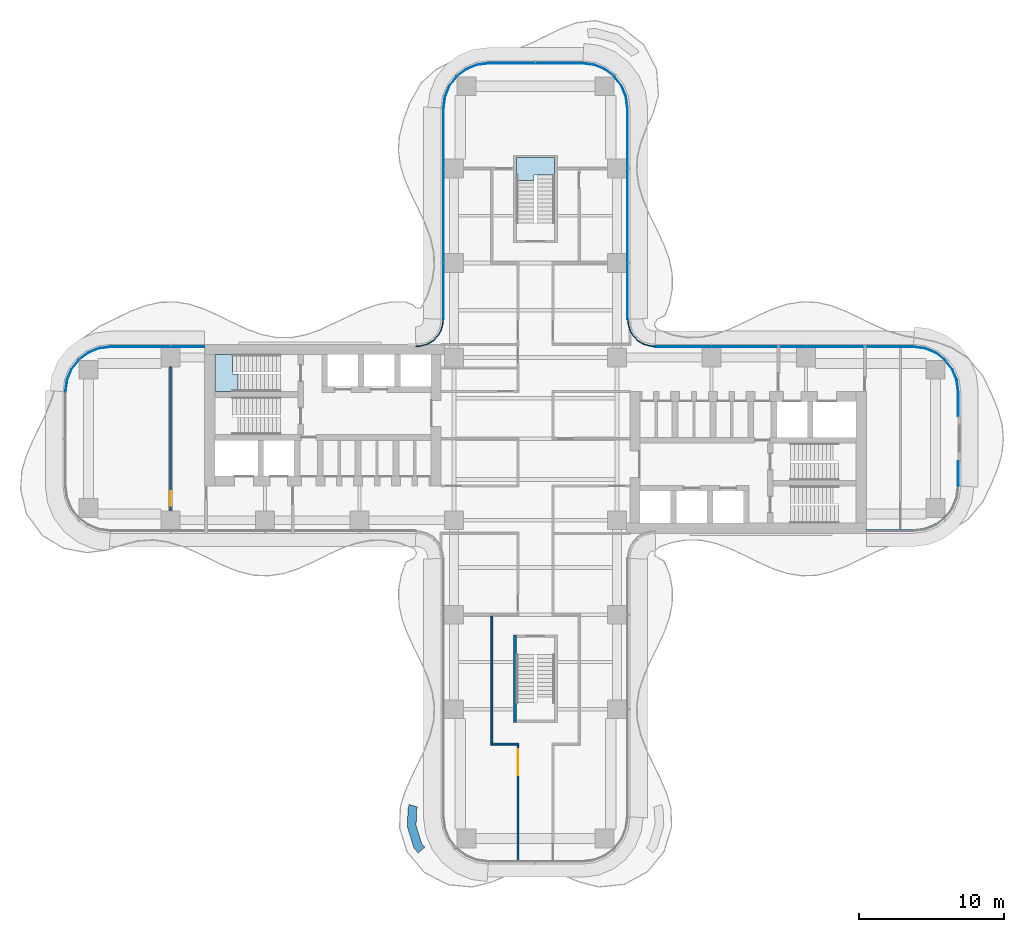
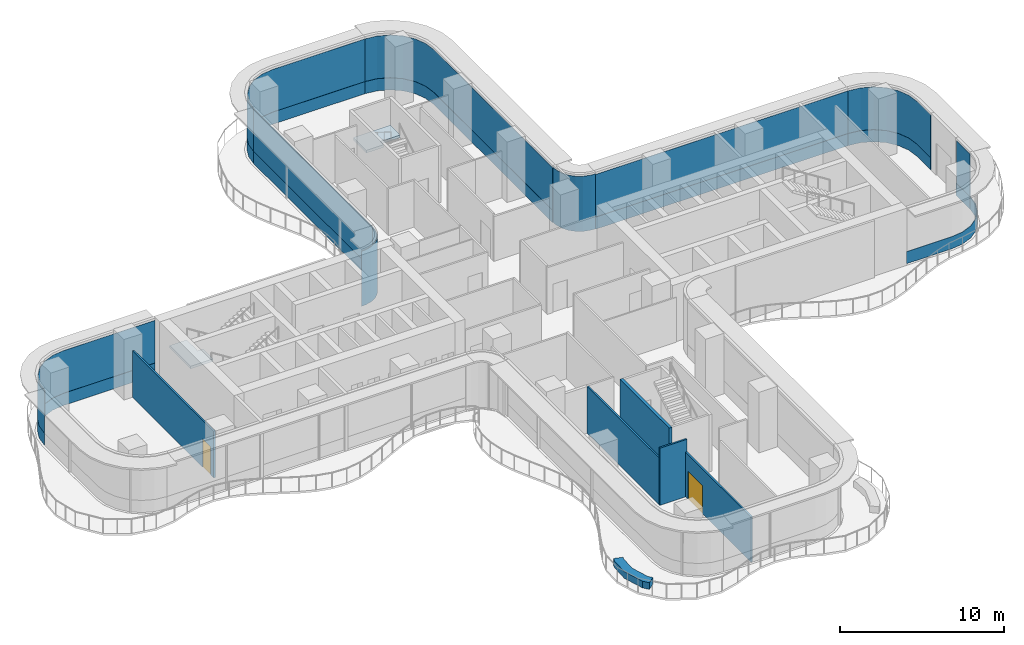
# One storey, part 15 of 21: 17 plates, 6 walls, 2 doors, 2 slabs, 2 openings, 12 elements without a shape of their own.
"""IFC4 building model written with IfcOpenShell, lengths in metres."""

from ifc_helpers import new_model, si_unit, direction, frame, frame_2d, origin, place, context, subcontext, project, spatial, polyline, rectangle, outline, extrude, source, transform, mapped, material, layer, layer_set, type_object, element, fill, aggregate, save


model = new_model("IFC4")

# Units and contexts
model_context = context("Model", 3, precision=1e-05, world=origin(), true_north=direction((0.0, 1.0)))
body_context = subcontext(model_context, "Body", "Model", "MODEL_VIEW")
ifc_project = project(units=[si_unit("LENGTHUNIT", "METRE"), si_unit("AREAUNIT", "SQUARE_METRE"), si_unit("VOLUMEUNIT", "CUBIC_METRE"), si_unit("PLANEANGLEUNIT", "RADIAN"), si_unit("MASSUNIT", "GRAM", prefix="KILO")], contexts=[model_context])

# Site, building, storey
site_placement = place(None, origin())
site = spatial("IfcSite", under=ifc_project, at=site_placement, CompositionType="ELEMENT")
building_placement = place(site_placement, origin())
building = spatial("IfcBuilding", under=site, at=building_placement, Name="Trellis Farm Tower", CompositionType="ELEMENT")
storey_placement = place(building_placement, frame((0.0, 0.0, 115.5)))
storey = spatial("IfcBuildingStorey", under=building, at=storey_placement, Name="L24", CompositionType="ELEMENT", Elevation=115.5)

# Curtain wall, plate
ifc_material_1 = material(Name="Aluminium and glass curtain wall", Category="aluminium")
ifc_layer_1 = layer(ifc_material_1, 0.18994140625)
ifc_layer_set_1 = layer_set([ifc_layer_1], Name="RIBBON CURTAIN WALL CW1")
curtain_wall_type_1 = type_object("IfcCurtainWallType", Name="RIBBON CURTAIN WALL CW1", PredefinedType="NOTDEFINED", material=ifc_layer_set_1)
placement_1 = place(storey_placement, origin())
curtain_wall_1 = element("IfcCurtainWall", 1, at=placement_1, inside=storey, type_object=curtain_wall_type_1, Name="CW1 006", PredefinedType="NOTDEFINED")
ifc_material_2 = material(Name="Clear insulated glass", Category="glass")
ifc_layer_2 = layer(ifc_material_2, 0.0400390625)
ifc_layer_set_2 = layer_set([ifc_layer_2], Name="CW1 GLASS PANEL 40")
plate_type_1 = type_object("IfcPlateType", Name="CW1 GLASS PANEL 40", PredefinedType="CURTAIN_PANEL", material=ifc_layer_set_2)
placement_2 = place(storey_placement, frame((0.0, 0.0, 0.89990234375)))
plate_1 = element("IfcPlate", 2, at=placement_2, type_object=plate_type_1, Name="PL1 006", PredefinedType="CURTAIN_PANEL", context=body_context, shape_type="SweptSolid", body=[
    extrude(outline(polyline([(29.10009765625, -3.240234375), (29.10009765625, -1.56005859375), (29.06005859375, -1.56005859375), (29.06005859375, -3.237548828125), (29.10009765625, -3.240234375)])), origin(), (0.0, 0.0, 1.0), 3.170166015625),
])

curtain_wall_2 = element("IfcCurtainWall", 3, at=placement_1, inside=storey, type_object=curtain_wall_type_1, Name="CW1 007", PredefinedType="NOTDEFINED")
plate_2 = element("IfcPlate", 4, at=placement_2, type_object=plate_type_1, Name="PL1 007", PredefinedType="CURTAIN_PANEL", context=body_context, shape_type="SweptSolid", body=[
    extrude(outline(polyline([(29.10009765625, 1.56005859375), (29.10009765625, 3.240234375), (28.9931640625, 4.052001953125), (28.68359375, 4.79931640625), (28.191162109375, 5.441162109375), (27.54931640625, 5.93359375), (26.802001953125, 6.2431640625), (25.990234375, 6.35009765625), (25.987548828125, 6.31005859375), (26.79150390625, 6.2041015625), (27.529296875, 5.898681640625), (28.16259765625, 5.41259765625), (28.648681640625, 4.779296875), (28.9541015625, 4.04150390625), (29.06005859375, 3.237548828125), (29.06005859375, 1.56005859375), (29.10009765625, 1.56005859375)])), origin(), (0.0, 0.0, 1.0), 3.170166015625),
])

# Stair, slab
ifc_material_3 = material(Name="Concrete C50/60", Category="concrete")
stair_type = type_object("IfcStairType", Name="CORE EXIT STAIR 26 RISERS 173 MM", PredefinedType="HALF_TURN_STAIR", material=ifc_material_3)
stair_1 = element("IfcStair", 5, at=placement_1, inside=storey, type_object=stair_type, Name="Exit stair N", PredefinedType="HALF_TURN_STAIR")
ifc_layer_3 = layer(ifc_material_3, 0.18994140625)
ifc_layer_set_3 = layer_set([ifc_layer_3], Name="CORE STAIR LANDING 190 CONCRETE C50/60")
slab_type = type_object("IfcSlabType", Name="CORE STAIR LANDING 190 CONCRETE C50/60", PredefinedType="LANDING", material=ifc_layer_set_3)
shared_shape_1 = source(origin(), body_context, "Body", "SweptSolid", [
    extrude(outline(polyline([(-0.10009765625, 17.753173828125), (-1.300048828125, 17.753173828125), (-1.300048828125, 18.14990234375), (-1.300048828125, 19.35009765625), (1.300048828125, 19.35009765625), (1.300048828125, 18.14990234375), (1.300048828125, 18.139892578125), (0.10009765625, 18.139892578125), (0.10009765625, 18.14990234375), (-0.10009765625, 18.14990234375), (-0.10009765625, 17.753173828125)])), origin(), (0.0, 0.0, 1.0), 0.18994140625),
])
placement_3 = place(storey_placement, frame((0.0, 0.0, 2.06005859375)))
slab_1 = element("IfcSlab", 6, at=placement_3, type_object=slab_type, Name="STN landing 1", PredefinedType="LANDING", context=body_context, shape_type="MappedRepresentation", body=[
    mapped(shared_shape_1, transform((0.0, 0.0, 0.0))),
])
aggregate(stair_1, [slab_1])

stair_2 = element("IfcStair", 7, at=placement_1, inside=storey, type_object=stair_type, Name="Exit stair W1", PredefinedType="HALF_TURN_STAIR")
shared_shape_2 = source(origin(), body_context, "Body", "SweptSolid", [
    extrude(outline(polyline([(-20.453125, 4.449951171875), (-20.453125, 3.25), (-20.85009765625, 3.25), (-22.050048828125, 3.25), (-22.050048828125, 5.800048828125), (-20.85009765625, 5.800048828125), (-20.840087890625, 5.800048828125), (-20.840087890625, 4.60009765625), (-20.85009765625, 4.60009765625), (-20.85009765625, 4.449951171875), (-20.453125, 4.449951171875)])), origin(), (0.0, 0.0, 1.0), 0.18994140625),
])
slab_2 = element("IfcSlab", 8, at=placement_3, type_object=slab_type, Name="STW1 landing 1", PredefinedType="LANDING", context=body_context, shape_type="MappedRepresentation", body=[
    mapped(shared_shape_2, transform((0.0, 0.0, 0.0))),
])
aggregate(stair_2, [slab_2])

# Curtain wall, plate
ifc_layer_4 = layer(ifc_material_1, 0.166015625)
ifc_layer_set_4 = layer_set([ifc_layer_4], Name="WINTER GARDEN CURTAIN WALL CW3")
curtain_wall_type_2 = type_object("IfcCurtainWallType", Name="WINTER GARDEN CURTAIN WALL CW3", PredefinedType="NOTDEFINED", material=ifc_layer_set_4)
curtain_wall_3 = element("IfcCurtainWall", 9, at=placement_1, inside=storey, type_object=curtain_wall_type_2, Name="CW3 003", PredefinedType="NOTDEFINED")
ifc_layer_5 = layer(ifc_material_2, 0.0458984375)
ifc_layer_set_5 = layer_set([ifc_layer_5], Name="CW3 GLASS PANEL 46")
plate_type_2 = type_object("IfcPlateType", Name="CW3 GLASS PANEL 46", PredefinedType="CURTAIN_PANEL", material=ifc_layer_set_5)
shared_shape_3 = source(origin(), body_context, "Body", "SweptSolid", [
    extrude(outline(polyline([(8.2275390625, 6.3798828125), (8.0078125, 6.394287109375), (7.89208984375, 6.40966796875), (7.462158203125, 6.52490234375), (7.070556640625, 6.7509765625), (6.7509765625, 7.070556640625), (6.52490234375, 7.462158203125), (6.40966796875, 7.89208984375), (6.394287109375, 8.0078125), (6.3798828125, 8.2275390625), (6.333984375, 8.22607421875), (6.3486328125, 8.003173828125), (6.364501953125, 7.883056640625), (6.48193359375, 7.4443359375), (6.714111328125, 7.04248046875), (7.04248046875, 6.714111328125), (7.4443359375, 6.48193359375), (7.883056640625, 6.364501953125), (8.003173828125, 6.3486328125), (8.22607421875, 6.333984375), (8.2275390625, 6.3798828125)])), origin(), (0.0, 0.0, 1.0), 4.10009765625),
])
plate_3 = element("IfcPlate", 10, at=placement_1, type_object=plate_type_2, Name="PL3 003", PredefinedType="CURTAIN_PANEL", context=body_context, shape_type="MappedRepresentation", body=[
    mapped(shared_shape_3, transform((0.0, 0.0, 0.0))),
])
aggregate(curtain_wall_3, [plate_3])

curtain_wall_4 = element("IfcCurtainWall", 11, at=placement_1, inside=storey, type_object=curtain_wall_type_2, Name="CW3 004", PredefinedType="NOTDEFINED")
shared_shape_4 = source(origin(), body_context, "Body", "SweptSolid", [
    extrude(outline(polyline([(-6.3798828125, 8.2275390625), (-6.394287109375, 8.0078125), (-6.40966796875, 7.89208984375), (-6.52490234375, 7.462158203125), (-6.7509765625, 7.070556640625), (-7.070556640625, 6.7509765625), (-7.462158203125, 6.52490234375), (-7.89208984375, 6.40966796875), (-8.0078125, 6.394287109375), (-8.2275390625, 6.3798828125), (-8.22607421875, 6.333984375), (-8.003173828125, 6.3486328125), (-7.883056640625, 6.364501953125), (-7.4443359375, 6.48193359375), (-7.04248046875, 6.714111328125), (-6.714111328125, 7.04248046875), (-6.48193359375, 7.4443359375), (-6.364501953125, 7.883056640625), (-6.3486328125, 8.003173828125), (-6.333984375, 8.22607421875), (-6.3798828125, 8.2275390625)])), origin(), (0.0, 0.0, 1.0), 4.10009765625),
])
plate_4 = element("IfcPlate", 12, at=placement_1, type_object=plate_type_2, Name="PL3 004", PredefinedType="CURTAIN_PANEL", context=body_context, shape_type="MappedRepresentation", body=[
    mapped(shared_shape_4, transform((0.0, 0.0, 0.0))),
])
aggregate(curtain_wall_4, [plate_4])

# Curtain wall, plates
curtain_wall_5 = element("IfcCurtainWall", 13, at=placement_1, inside=storey, type_object=curtain_wall_type_1, Name="CW1 012", PredefinedType="NOTDEFINED")
shared_shape_5 = source(origin(), body_context, "Body", "SweptSolid", [
    extrude(outline(polyline([(-22.780029296875, 6.35009765625), (-29.240234375, 6.35009765625), (-30.052001953125, 6.2431640625), (-30.79931640625, 5.93359375), (-31.441162109375, 5.441162109375), (-31.93359375, 4.79931640625), (-32.2431640625, 4.052001953125), (-32.35009765625, 3.240234375), (-32.31005859375, 3.237548828125), (-32.2041015625, 4.04150390625), (-31.898681640625, 4.779296875), (-31.41259765625, 5.41259765625), (-30.779296875, 5.898681640625), (-30.04150390625, 6.2041015625), (-29.237548828125, 6.31005859375), (-22.780029296875, 6.31005859375), (-22.780029296875, 6.35009765625)])), origin(), (0.0, 0.0, 1.0), 3.170166015625),
])
plate_5 = element("IfcPlate", 14, at=placement_2, type_object=plate_type_1, Name="PL1 012", PredefinedType="CURTAIN_PANEL", context=body_context, shape_type="MappedRepresentation", body=[
    mapped(shared_shape_5, transform((0.0, 0.0, 0.0))),
])
ifc_material_4 = material(Name="Sandstone faced insulated panel", Category="masonry")
ifc_layer_6 = layer(ifc_material_4, 0.050048828125)
ifc_layer_set_6 = layer_set([ifc_layer_6], Name="CW1 STONE SPANDREL PANEL 50")
plate_type_3 = type_object("IfcPlateType", Name="CW1 STONE SPANDREL PANEL 50", PredefinedType="CURTAIN_PANEL", material=ifc_layer_set_6)
shared_shape_6 = source(origin(), body_context, "Body", "SweptSolid", [
    extrude(outline(polyline([(-22.780029296875, 6.35009765625), (-29.240234375, 6.35009765625), (-30.052001953125, 6.2431640625), (-30.79931640625, 5.93359375), (-31.441162109375, 5.441162109375), (-31.93359375, 4.79931640625), (-32.2431640625, 4.052001953125), (-32.35009765625, 3.240234375), (-32.300048828125, 3.23681640625), (-32.1943359375, 4.0390625), (-31.889892578125, 4.774169921875), (-31.405517578125, 5.405517578125), (-30.774169921875, 5.889892578125), (-30.0390625, 6.1943359375), (-29.23681640625, 6.300048828125), (-22.780029296875, 6.300048828125), (-22.780029296875, 6.35009765625)])), origin(), (0.0, 0.0, 1.0), 0.89990234375),
])
plate_6 = element("IfcPlate", 15, at=placement_1, type_object=plate_type_3, Name="PS1 012", PredefinedType="CURTAIN_PANEL", context=body_context, shape_type="MappedRepresentation", body=[
    mapped(shared_shape_6, transform((0.0, 0.0, 0.0))),
])
aggregate(curtain_wall_5, [plate_5, plate_6])

curtain_wall_6 = element("IfcCurtainWall", 16, at=placement_1, inside=storey, type_object=curtain_wall_type_1, Name="CW1 009", PredefinedType="NOTDEFINED")
shared_shape_7 = source(origin(), body_context, "Body", "SweptSolid", [
    extrude(outline(polyline([(6.35009765625, 8.2265625), (6.35009765625, 22.740234375), (6.2431640625, 23.552001953125), (5.93359375, 24.29931640625), (5.441162109375, 24.941162109375), (4.79931640625, 25.43359375), (4.052001953125, 25.7431640625), (3.240234375, 25.85009765625), (3.237548828125, 25.81005859375), (4.04150390625, 25.7041015625), (4.779296875, 25.398681640625), (5.41259765625, 24.91259765625), (5.898681640625, 24.279296875), (6.2041015625, 23.54150390625), (6.31005859375, 22.737548828125), (6.31005859375, 8.22509765625), (6.35009765625, 8.2265625)])), origin(), (0.0, 0.0, 1.0), 3.170166015625),
])
plate_7 = element("IfcPlate", 17, at=placement_2, type_object=plate_type_1, Name="PL1 009", PredefinedType="CURTAIN_PANEL", context=body_context, shape_type="MappedRepresentation", body=[
    mapped(shared_shape_7, transform((0.0, 0.0, 0.0))),
])
shared_shape_8 = source(origin(), body_context, "Body", "SweptSolid", [
    extrude(outline(polyline([(6.35009765625, 8.2265625), (6.35009765625, 22.740234375), (6.2431640625, 23.552001953125), (5.93359375, 24.29931640625), (5.441162109375, 24.941162109375), (4.79931640625, 25.43359375), (4.052001953125, 25.7431640625), (3.240234375, 25.85009765625), (3.23681640625, 25.800048828125), (4.0390625, 25.6943359375), (4.774169921875, 25.389892578125), (5.405517578125, 24.905517578125), (5.889892578125, 24.274169921875), (6.1943359375, 23.5390625), (6.300048828125, 22.73681640625), (6.300048828125, 8.224853515625), (6.35009765625, 8.2265625)])), origin(), (0.0, 0.0, 1.0), 0.89990234375),
])
plate_8 = element("IfcPlate", 18, at=placement_1, type_object=plate_type_3, Name="PS1 009", PredefinedType="CURTAIN_PANEL", context=body_context, shape_type="MappedRepresentation", body=[
    mapped(shared_shape_8, transform((0.0, 0.0, 0.0))),
])
aggregate(curtain_wall_6, [plate_7, plate_8])

curtain_wall_7 = element("IfcCurtainWall", 19, at=placement_1, inside=storey, type_object=curtain_wall_type_1, Name="CW1 011", PredefinedType="NOTDEFINED")
shared_shape_9 = source(origin(), body_context, "Body", "SweptSolid", [
    extrude(outline(polyline([(-6.35009765625, 22.740234375), (-6.35009765625, 8.2265625), (-6.31005859375, 8.22509765625), (-6.31005859375, 22.737548828125), (-6.35009765625, 22.740234375)])), origin(), (0.0, 0.0, 1.0), 3.170166015625),
])
plate_9 = element("IfcPlate", 20, at=placement_2, type_object=plate_type_1, Name="PL1 011", PredefinedType="CURTAIN_PANEL", context=body_context, shape_type="MappedRepresentation", body=[
    mapped(shared_shape_9, transform((0.0, 0.0, 0.0))),
])
shared_shape_10 = source(origin(), body_context, "Body", "SweptSolid", [
    extrude(outline(polyline([(-6.35009765625, 22.740234375), (-6.35009765625, 8.2265625), (-6.300048828125, 8.224853515625), (-6.300048828125, 22.73681640625), (-6.35009765625, 22.740234375)])), origin(), (0.0, 0.0, 1.0), 0.89990234375),
])
plate_10 = element("IfcPlate", 21, at=placement_1, type_object=plate_type_3, Name="PS1 011", PredefinedType="CURTAIN_PANEL", context=body_context, shape_type="MappedRepresentation", body=[
    mapped(shared_shape_10, transform((0.0, 0.0, 0.0))),
])
aggregate(curtain_wall_7, [plate_9, plate_10])

curtain_wall_8 = element("IfcCurtainWall", 22, at=placement_1, inside=storey, type_object=curtain_wall_type_1, Name="CW1 010", PredefinedType="NOTDEFINED")
shared_shape_11 = source(origin(), body_context, "Body", "SweptSolid", [
    extrude(outline(polyline([(3.240234375, 25.85009765625), (-3.240234375, 25.85009765625), (-4.052001953125, 25.7431640625), (-4.79931640625, 25.43359375), (-5.441162109375, 24.941162109375), (-5.93359375, 24.29931640625), (-6.2431640625, 23.552001953125), (-6.35009765625, 22.740234375), (-6.31005859375, 22.737548828125), (-6.2041015625, 23.54150390625), (-5.898681640625, 24.279296875), (-5.41259765625, 24.91259765625), (-4.779296875, 25.398681640625), (-4.04150390625, 25.7041015625), (-3.237548828125, 25.81005859375), (3.237548828125, 25.81005859375), (3.240234375, 25.85009765625)])), origin(), (0.0, 0.0, 1.0), 3.170166015625),
])
plate_11 = element("IfcPlate", 23, at=placement_2, type_object=plate_type_1, Name="PL1 010", PredefinedType="CURTAIN_PANEL", context=body_context, shape_type="MappedRepresentation", body=[
    mapped(shared_shape_11, transform((0.0, 0.0, 0.0))),
])
shared_shape_12 = source(origin(), body_context, "Body", "SweptSolid", [
    extrude(outline(polyline([(3.240234375, 25.85009765625), (-3.240234375, 25.85009765625), (-4.052001953125, 25.7431640625), (-4.79931640625, 25.43359375), (-5.441162109375, 24.941162109375), (-5.93359375, 24.29931640625), (-6.2431640625, 23.552001953125), (-6.35009765625, 22.740234375), (-6.300048828125, 22.73681640625), (-6.1943359375, 23.5390625), (-5.889892578125, 24.274169921875), (-5.405517578125, 24.905517578125), (-4.774169921875, 25.389892578125), (-4.0390625, 25.6943359375), (-3.23681640625, 25.800048828125), (3.23681640625, 25.800048828125), (3.240234375, 25.85009765625)])), origin(), (0.0, 0.0, 1.0), 0.89990234375),
])
plate_12 = element("IfcPlate", 24, at=placement_1, type_object=plate_type_3, Name="PS1 010", PredefinedType="CURTAIN_PANEL", context=body_context, shape_type="MappedRepresentation", body=[
    mapped(shared_shape_12, transform((0.0, 0.0, 0.0))),
])
aggregate(curtain_wall_8, [plate_11, plate_12])

# Curtain wall, plate
curtain_wall_9 = element("IfcCurtainWall", 25, at=placement_1, inside=storey, type_object=curtain_wall_type_1, Name="CW1 005", PredefinedType="NOTDEFINED")
shared_shape_13 = source(origin(), body_context, "Body", "SweptSolid", [
    extrude(outline(polyline([(22.780029296875, -6.35009765625), (25.990234375, -6.35009765625), (26.802001953125, -6.2431640625), (27.54931640625, -5.93359375), (28.191162109375, -5.441162109375), (28.68359375, -4.79931640625), (28.9931640625, -4.052001953125), (29.10009765625, -3.240234375), (29.050048828125, -3.23681640625), (28.9443359375, -4.0390625), (28.639892578125, -4.774169921875), (28.155517578125, -5.405517578125), (27.524169921875, -5.889892578125), (26.7890625, -6.1943359375), (25.98681640625, -6.300048828125), (22.780029296875, -6.300048828125), (22.780029296875, -6.35009765625)])), origin(), (0.0, 0.0, 1.0), 0.89990234375),
])
plate_13 = element("IfcPlate", 26, at=placement_1, type_object=plate_type_3, Name="PS1 005", PredefinedType="CURTAIN_PANEL", context=body_context, shape_type="MappedRepresentation", body=[
    mapped(shared_shape_13, transform((0.0, 0.0, 0.0))),
])
aggregate(curtain_wall_9, [plate_13])

# Curtain wall, plates
curtain_wall_10 = element("IfcCurtainWall", 27, at=placement_1, inside=storey, type_object=curtain_wall_type_1, Name="CW1 008", PredefinedType="NOTDEFINED")
shared_shape_14 = source(origin(), body_context, "Body", "SweptSolid", [
    extrude(outline(polyline([(25.990234375, 6.35009765625), (8.2265625, 6.35009765625), (8.22509765625, 6.31005859375), (25.987548828125, 6.31005859375), (25.990234375, 6.35009765625)])), origin(), (0.0, 0.0, 1.0), 3.170166015625),
])
plate_14 = element("IfcPlate", 28, at=placement_2, type_object=plate_type_1, Name="PL1 008", PredefinedType="CURTAIN_PANEL", context=body_context, shape_type="MappedRepresentation", body=[
    mapped(shared_shape_14, transform((0.0, 0.0, 0.0))),
])
shared_shape_15 = source(origin(), body_context, "Body", "SweptSolid", [
    extrude(outline(polyline([(25.990234375, 6.35009765625), (8.2265625, 6.35009765625), (8.224853515625, 6.300048828125), (25.98681640625, 6.300048828125), (25.990234375, 6.35009765625)])), origin(), (0.0, 0.0, 1.0), 0.89990234375),
])
plate_15 = element("IfcPlate", 29, at=placement_1, type_object=plate_type_3, Name="PS1 008", PredefinedType="CURTAIN_PANEL", context=body_context, shape_type="MappedRepresentation", body=[
    mapped(shared_shape_15, transform((0.0, 0.0, 0.0))),
])
aggregate(curtain_wall_10, [plate_14, plate_15])

# Plate
shared_shape_16 = source(origin(), body_context, "Body", "SweptSolid", [
    extrude(outline(polyline([(29.10009765625, -3.240234375), (29.10009765625, -1.56005859375), (29.050048828125, -1.56005859375), (29.050048828125, -3.23681640625), (29.10009765625, -3.240234375)])), origin(), (0.0, 0.0, 1.0), 0.89990234375),
])
plate_16 = element("IfcPlate", 30, at=placement_1, type_object=plate_type_3, Name="PS1 006", PredefinedType="CURTAIN_PANEL", context=body_context, shape_type="MappedRepresentation", body=[
    mapped(shared_shape_16, transform((0.0, 0.0, 0.0))),
])

aggregate(curtain_wall_1, [plate_1, plate_16])

shared_shape_17 = source(origin(), body_context, "Body", "SweptSolid", [
    extrude(outline(polyline([(29.10009765625, 1.56005859375), (29.10009765625, 3.240234375), (28.9931640625, 4.052001953125), (28.68359375, 4.79931640625), (28.191162109375, 5.441162109375), (27.54931640625, 5.93359375), (26.802001953125, 6.2431640625), (25.990234375, 6.35009765625), (25.98681640625, 6.300048828125), (26.7890625, 6.1943359375), (27.524169921875, 5.889892578125), (28.155517578125, 5.405517578125), (28.639892578125, 4.774169921875), (28.9443359375, 4.0390625), (29.050048828125, 3.23681640625), (29.050048828125, 1.56005859375), (29.10009765625, 1.56005859375)])), origin(), (0.0, 0.0, 1.0), 0.89990234375),
])
plate_17 = element("IfcPlate", 31, at=placement_1, type_object=plate_type_3, Name="PS1 007", PredefinedType="CURTAIN_PANEL", context=body_context, shape_type="MappedRepresentation", body=[
    mapped(shared_shape_17, transform((0.0, 0.0, 0.0))),
])

aggregate(curtain_wall_2, [plate_2, plate_17])

# Walls
ifc_material_5 = material(Name="Sandstone faced masonry planter", Category="masonry")
ifc_layer_7 = layer(ifc_material_5, 0.60009765625)
ifc_layer_set_7 = layer_set([ifc_layer_7], Name="PLANTER BED 600")
wall_type_1 = type_object("IfcWallType", Name="PLANTER BED 600", PredefinedType="USERDEFINED", material=ifc_layer_set_7)
element("IfcWall", 32, at=placement_1, inside=storey, type_object=wall_type_1, Name="PLANTER bed", ObjectType="PLANTER", PredefinedType="USERDEFINED", context=body_context, shape_type="SweptSolid", body=[
    extrude(outline(polyline([(-8.8154296875, -26.68359375), (-8.768310546875, -25.418212890625), (-8.68701171875, -25.151123046875), (-8.113037109375, -25.325927734375), (-8.171630859375, -25.518310546875), (-8.212158203125, -26.603515625), (-7.82666015625, -27.843017578125), (-7.61474609375, -28.098388671875), (-8.07666015625, -28.4814453125), (-8.3642578125, -28.134521484375), (-8.8154296875, -26.68359375)])), origin(), (0.0, 0.0, 1.0), 0.5),
])
ifc_material_6 = material(Name="Concrete C70/85", Category="concrete")
ifc_layer_8 = layer(ifc_material_6, 0.199951171875)
ifc_layer_set_8 = layer_set([ifc_layer_8], Name="CORE STAIR ENCLOSURE WALL 200 CONCRETE C70/85")
wall_type_2 = type_object("IfcWallType", Name="CORE STAIR ENCLOSURE WALL 200 CONCRETE C70/85", PredefinedType="SHEAR", material=ifc_layer_set_8)
shared_shape_18 = source(origin(), body_context, "Body", "SweptSolid", [
    extrude(rectangle(XDim=6.0, YDim=0.199951171875, at=frame_2d((3.0, 0.0))), origin(), (0.0, 0.0, 1.0), 4.25),
])
wall_2_placement = place(storey_placement, frame((-1.39990234375, -13.5, 0.0), z_axis=(0.0, 0.0, 1.0), x_axis=(0.0, -1.0, 0.0)))
element("IfcWall", 33, at=wall_2_placement, inside=storey, type_object=wall_type_2, Name="Stair enclosure wall", PredefinedType="SHEAR", context=body_context, shape_type="MappedRepresentation", body=[
    mapped(shared_shape_18, transform((0.0, 0.0, 0.0))),
])

# Wall, opening, door
ifc_material_7 = material(Name="Plasterboard on steel studs, mineral wool", Category="steel")
ifc_layer_9 = layer(ifc_material_7, 0.125)
ifc_layer_set_9 = layer_set([ifc_layer_9], Name="PARTITION 125 STUD EI 60")
wall_type_3 = type_object("IfcWallType", Name="PARTITION 125 STUD EI 60", PredefinedType="PARTITIONING", material=ifc_layer_set_9)
shared_shape_19 = source(origin(), body_context, "Body", "SweptSolid", [
    extrude(rectangle(XDim=7.987548828125, YDim=0.125, at=frame_2d((3.99365234375, 0.0))), origin(), (0.0, 0.0, 1.0), 3.330078125),
])
wall_3_placement = place(storey_placement, frame((-1.199951171875, -21.0625, 0.0), z_axis=(0.0, 0.0, 1.0), x_axis=(0.0, -1.0, 0.0)))
wall_3 = element("IfcWall", 34, at=wall_3_placement, inside=storey, type_object=wall_type_3, Name="Partition PW1", PredefinedType="PARTITIONING", context=body_context, shape_type="MappedRepresentation", body=[
    mapped(shared_shape_19, transform((0.0, 0.0, 0.0))),
])
shared_shape_20 = source(origin(), body_context, "Body", "SweptSolid", [
    extrude(rectangle(XDim=1.800048828125, YDim=2.10009765625, at=frame_2d((0.89990234375, 1.050048828125))), frame((0.0, 0.072509765625, 0.0), z_axis=(0.0, -1.0, 0.0), x_axis=(1.0, 0.0, 0.0)), (0.0, 0.0, 1.0), 0.14501953125),
])
opening_1_placement = place(wall_3_placement, frame((0.28759765625, 0.0, 0.0)))
opening_1 = element("IfcOpeningElement", 35, at=opening_1_placement, cuts=wall_3, Name="Opening D201", PredefinedType="OPENING", context=body_context, shape_type="MappedRepresentation", body=[
    mapped(shared_shape_20, transform((0.0, 0.0, 0.0))),
])
ifc_material_8 = material(Name="Fire-rated timber door leaf in a hollow metal frame", Category="wood")
door_type_1 = type_object("IfcDoorType", Name="DOOR PAIR 1800x2100 FD30S", OperationType="NOTDEFINED", PredefinedType="DOOR", material=ifc_material_8)
shared_shape_21 = source(origin(), body_context, "Body", "SweptSolid", [
    extrude(rectangle(XDim=1.800048828125, YDim=2.10009765625, at=frame_2d((0.89990234375, 1.050048828125))), frame((0.0, 0.02490234375, 0.0), z_axis=(0.0, -1.0, 0.0), x_axis=(1.0, 0.0, 0.0)), (0.0, 0.0, 1.0), 0.050048828125),
])
door_1_placement = place(opening_1_placement, origin())
door_1 = element("IfcDoor", 36, at=door_1_placement, inside=storey, type_object=door_type_1, Name="Door D201", OperationType="DOUBLE_DOOR_SINGLE_SWING", OverallHeight=2.10009765625, OverallWidth=1.800048828125, PredefinedType="DOOR", context=body_context, shape_type="MappedRepresentation", body=[
    mapped(shared_shape_21, transform((0.0, 0.0, 0.0))),
])
fill(opening_1, door_1)

# Walls
shared_shape_22 = source(origin(), body_context, "Body", "SweptSolid", [
    extrude(rectangle(XDim=8.737548828125, YDim=0.125, at=frame_2d((4.36865234375, 0.0))), origin(), (0.0, 0.0, 1.0), 3.4677734375),
])
wall_4_placement = place(storey_placement, frame((-3.0, -20.9375, 0.0), z_axis=(0.0, 0.0, 1.0), x_axis=(0.0, 1.0, 0.0)))
element("IfcWall", 37, at=wall_4_placement, inside=storey, type_object=wall_type_3, Name="Partition PW1", PredefinedType="PARTITIONING", context=body_context, shape_type="MappedRepresentation", body=[
    mapped(shared_shape_22, transform((0.0, 0.0, 0.0))),
])
shared_shape_23 = source(origin(), body_context, "Body", "SweptSolid", [
    extrude(rectangle(XDim=1.925048828125, YDim=0.125, at=frame_2d((0.96240234375, 0.0))), origin(), (0.0, 0.0, 1.0), 4.25),
])
wall_5_placement = place(storey_placement, frame((-1.137451171875, -21.0, 0.0), z_axis=(0.0, 0.0, 1.0), x_axis=(-1.0, 0.0, 0.0)))
element("IfcWall", 38, at=wall_5_placement, inside=storey, type_object=wall_type_3, Name="Partition PW1", PredefinedType="PARTITIONING", context=body_context, shape_type="MappedRepresentation", body=[
    mapped(shared_shape_23, transform((0.0, 0.0, 0.0))),
])

# Wall, opening, door
shared_shape_24 = source(origin(), body_context, "Body", "SweptSolid", [
    extrude(rectangle(XDim=9.89990234375, YDim=0.125, at=frame_2d((4.949951171875, 0.0))), origin(), (0.0, 0.0, 1.0), 3.4677734375),
])
wall_6_placement = place(storey_placement, frame((-25.10009765625, -4.949951171875, 0.0), z_axis=(0.0, 0.0, 1.0), x_axis=(0.0, 1.0, 0.0)))
wall_6 = element("IfcWall", 39, at=wall_6_placement, inside=storey, type_object=wall_type_3, Name="Partition PW1", PredefinedType="PARTITIONING", context=body_context, shape_type="MappedRepresentation", body=[
    mapped(shared_shape_24, transform((0.0, 0.0, 0.0))),
])
shared_shape_25 = source(origin(), body_context, "Body", "SweptSolid", [
    extrude(rectangle(XDim=1.0, YDim=2.10009765625, at=frame_2d((0.5, 1.050048828125))), frame((0.0, 0.072509765625, 0.0), z_axis=(0.0, -1.0, 0.0), x_axis=(1.0, 0.0, 0.0)), (0.0, 0.0, 1.0), 0.14501953125),
])
opening_2_placement = place(wall_6_placement, frame((0.35009765625, 0.0, 0.0)))
opening_2 = element("IfcOpeningElement", 40, at=opening_2_placement, cuts=wall_6, Name="Opening D102", PredefinedType="OPENING", context=body_context, shape_type="MappedRepresentation", body=[
    mapped(shared_shape_25, transform((0.0, 0.0, 0.0))),
])
door_type_2 = type_object("IfcDoorType", Name="DOOR 1000x2100 FD30S", OperationType="NOTDEFINED", PredefinedType="DOOR", material=ifc_material_8)
shared_shape_26 = source(origin(), body_context, "Body", "SweptSolid", [
    extrude(rectangle(XDim=1.0, YDim=2.10009765625, at=frame_2d((0.5, 1.050048828125))), frame((0.0, 0.02490234375, 0.0), z_axis=(0.0, -1.0, 0.0), x_axis=(1.0, 0.0, 0.0)), (0.0, 0.0, 1.0), 0.050048828125),
])
door_2_placement = place(opening_2_placement, origin())
door_2 = element("IfcDoor", 41, at=door_2_placement, inside=storey, type_object=door_type_2, Name="Door D102", OperationType="SINGLE_SWING_LEFT", OverallHeight=2.10009765625, OverallWidth=1.0, PredefinedType="DOOR", context=body_context, shape_type="MappedRepresentation", body=[
    mapped(shared_shape_26, transform((0.0, 0.0, 0.0))),
])
fill(opening_2, door_2)

save(model, "model.ifc")
